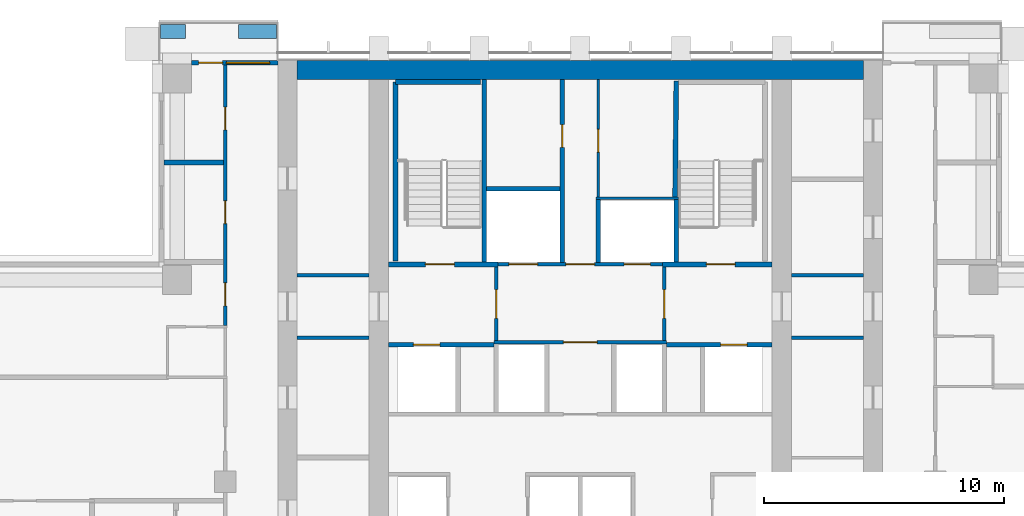
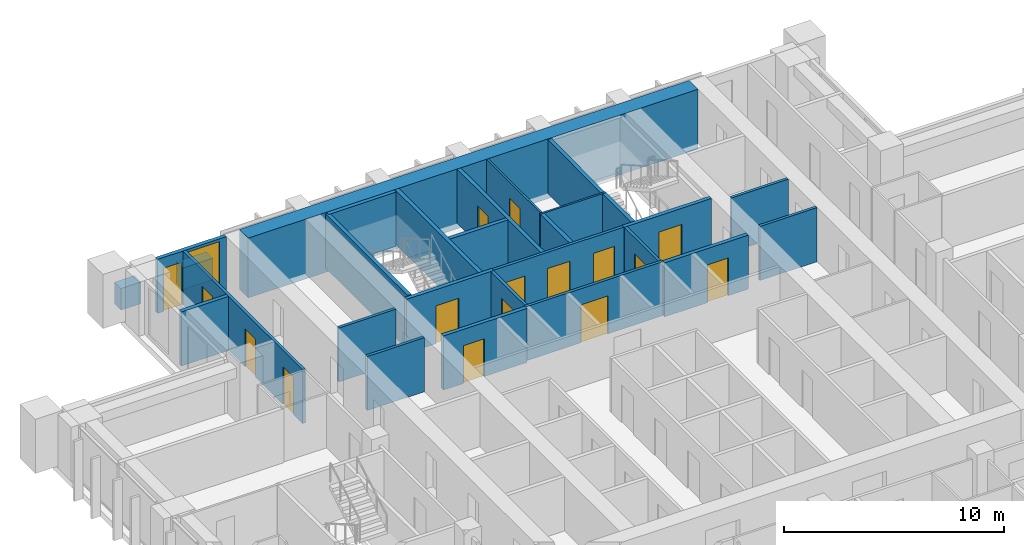
# One storey, part 14 of 21: 28 walls, 16 doors, 1 window, 17 openings.
"""IFC4 building model written with IfcOpenShell, lengths in metres."""

from ifc_helpers import new_model, si_unit, direction, frame, frame_2d, origin, place, context, subcontext, project, spatial, rectangle, extrude, material, layer, layer_set, type_object, element, fill, save


model = new_model("IFC4")

# Units and contexts
model_context = context("Model", 3, precision=1e-05, world=origin(), true_north=direction((0.0, 1.0)))
body_context = subcontext(model_context, "Body", "Model", "MODEL_VIEW")
ifc_project = project(units=[si_unit("LENGTHUNIT", "METRE"), si_unit("AREAUNIT", "SQUARE_METRE"), si_unit("VOLUMEUNIT", "CUBIC_METRE"), si_unit("PLANEANGLEUNIT", "RADIAN"), si_unit("MASSUNIT", "GRAM", prefix="KILO")], contexts=[model_context])

# Site, building, storey
site_placement = place(None, origin())
site = spatial("IfcSite", under=ifc_project, at=site_placement, CompositionType="ELEMENT")
building_placement = place(site_placement, origin())
building = spatial("IfcBuilding", under=site, at=building_placement, Name="Vermilion Ogive Tower", CompositionType="ELEMENT")
storey_placement = place(building_placement, frame((0.0, 0.0, 118.35009765625)))
storey = spatial("IfcBuildingStorey", under=building, at=storey_placement, Name="L30", CompositionType="ELEMENT", Elevation=118.35009765625)

# Walls
ifc_material_1 = material(Name="Concrete B80", Category="concrete")
ifc_layer_1 = layer(ifc_material_1, 0.800048828125)
ifc_layer_set_1 = layer_set([ifc_layer_1], Name="Core wall 800 B80")
wall_type_1 = type_object("IfcWallType", Name="Core wall 800 B80", PredefinedType="SHEAR", material=ifc_layer_set_1)
wall_1_placement = place(storey_placement, frame((-11.800048828125, 21.35009765625, -0.320068359375), z_axis=(0.0, 0.0, 1.0), x_axis=(1.0, 0.0, 0.0)))
element("IfcWall", 1, at=wall_1_placement, inside=storey, type_object=wall_type_1, Name="L30-CORE-N", PredefinedType="SHEAR", context=body_context, shape_type="SweptSolid", body=[
    extrude(rectangle(XDim=23.60009765625, YDim=0.800048828125, at=frame_2d((11.800048828125, 0.0))), origin(), (0.0, 0.0, 1.0), 3.320068359375),
])
ifc_material_2 = material(Name="Gypsum board partition on steel studs", Category="steel")
ifc_layer_2 = layer(ifc_material_2, 0.10009765625)
ifc_layer_set_2 = layer_set([ifc_layer_2], Name="Partition 100 bath")
wall_type_2 = type_object("IfcWallType", Name="Partition 100 bath", PredefinedType="PARTITIONING", material=ifc_layer_set_2)
wall_2_placement = place(storey_placement, frame((0.64990234375, 16.0, 0.0), z_axis=(0.0, 0.0, 1.0), x_axis=(1.0, 0.0, 0.0)))
element("IfcWall", 2, at=wall_2_placement, inside=storey, type_object=wall_type_2, Name="L30-CK-W-W020", PredefinedType="PARTITIONING", context=body_context, shape_type="SweptSolid", body=[
    extrude(rectangle(XDim=3.4501953125, YDim=0.10009765625, at=frame_2d((1.72509765625, 0.0))), origin(), (0.0, 0.0, 1.0), 3.0),
])

# Wall, opening, door
wall_3_placement = place(storey_placement, frame((0.75, 16.050048828125, 0.0), z_axis=(0.0, 0.0, 1.0), x_axis=(0.0, 1.0, 0.0)))
wall_3 = element("IfcWall", 3, at=wall_3_placement, inside=storey, type_object=wall_type_2, Name="L30-CK-W-W032", PredefinedType="PARTITIONING", context=body_context, shape_type="SweptSolid", body=[
    extrude(rectangle(XDim=4.89892578125, YDim=0.10009765625, at=frame_2d((2.449462890625, 0.0))), origin(), (0.0, 0.0, 1.0), 3.0),
])
opening_1_placement = place(wall_3_placement, frame((1.875, 0.0, 0.0)))
opening_1 = element("IfcOpeningElement", 4, at=opening_1_placement, cuts=wall_3, Name="Opening DAA261", PredefinedType="OPENING", context=body_context, shape_type="SweptSolid", body=[
    extrude(rectangle(XDim=0.949951171875, YDim=2.10009765625, at=frame_2d((0.47509765625, 1.050048828125))), frame((0.0, 0.06005859375, 0.0), z_axis=(0.0, -1.0, 0.0), x_axis=(1.0, 0.0, 0.0)), (0.0, 0.0, 1.0), 0.1201171875),
])
ifc_material_3 = material(Name="Timber door leaf", Category="wood")
door_type_1 = type_object("IfcDoorType", Name="Service door 950 x 2100 FD60", OperationType="SINGLE_SWING_LEFT", PredefinedType="DOOR", material=ifc_material_3)
door_1_placement = place(opening_1_placement, origin())
door_1 = element("IfcDoor", 5, at=door_1_placement, inside=storey, type_object=door_type_1, Name="L30-CK-D-D021", OperationType="SINGLE_SWING_LEFT", OverallHeight=2.10009765625, OverallWidth=0.949951171875, PredefinedType="DOOR", context=body_context, shape_type="SweptSolid", body=[
    extrude(rectangle(XDim=0.949951171875, YDim=2.10009765625, at=frame_2d((0.47509765625, 1.050048828125))), frame((0.0, 0.02490234375, 0.0), z_axis=(0.0, -1.0, 0.0), x_axis=(1.0, 0.0, 0.0)), (0.0, 0.0, 1.0), 0.050048828125),
])
fill(opening_1, door_1)

# Wall, openings, doors
ifc_material_4 = material(Name="Gypsum board partition on steel studs", Category="steel")
ifc_layer_3 = layer(ifc_material_4, 0.14990234375)
ifc_layer_set_3 = layer_set([ifc_layer_3], Name="Partition 150 corridor")
wall_type_3 = type_object("IfcWallType", Name="Partition 150 corridor", PredefinedType="PARTITIONING", material=ifc_layer_set_3)
wall_4_placement = place(storey_placement, frame((-14.800048828125, 10.699951171875, 0.0), z_axis=(0.0, 0.0, 1.0), x_axis=(0.0, 1.0, 0.0)))
wall_4 = element("IfcWall", 6, at=wall_4_placement, inside=storey, type_object=wall_type_3, Name="L30-W-W050", PredefinedType="PARTITIONING", context=body_context, shape_type="SweptSolid", body=[
    extrude(rectangle(XDim=10.85009765625, YDim=0.14990234375, at=frame_2d((5.425048828125, 0.0))), origin(), (0.0, 0.0, 1.0), 3.0),
])
opening_2_placement = place(wall_4_placement, frame((0.824951171875, 0.0, 0.0)))
opening_2 = element("IfcOpeningElement", 7, at=opening_2_placement, cuts=wall_4, Name="Opening D2G6007", PredefinedType="OPENING", context=body_context, shape_type="SweptSolid", body=[
    extrude(rectangle(XDim=0.949951171875, YDim=2.10009765625, at=frame_2d((0.47509765625, 1.050048828125))), frame((0.0, 0.0849609375, 0.0), z_axis=(0.0, -1.0, 0.0), x_axis=(1.0, 0.0, 0.0)), (0.0, 0.0, 1.0), 0.169921875),
])
opening_3_placement = place(wall_4_placement, frame((4.25, 0.0, 0.0)))
opening_3 = element("IfcOpeningElement", 8, at=opening_3_placement, cuts=wall_4, Name="Opening D2G6009", PredefinedType="OPENING", context=body_context, shape_type="SweptSolid", body=[
    extrude(rectangle(XDim=0.949951171875, YDim=2.10009765625, at=frame_2d((0.47509765625, 1.050048828125))), frame((0.0, 0.0849609375, 0.0), z_axis=(0.0, -1.0, 0.0), x_axis=(1.0, 0.0, 0.0)), (0.0, 0.0, 1.0), 0.169921875),
])
opening_4_placement = place(wall_4_placement, frame((8.150146484375, 0.0, 0.0)))
opening_4 = element("IfcOpeningElement", 9, at=opening_4_placement, cuts=wall_4, Name="Opening D2G6010", PredefinedType="OPENING", context=body_context, shape_type="SweptSolid", body=[
    extrude(rectangle(XDim=0.949951171875, YDim=2.10009765625, at=frame_2d((0.47509765625, 1.050048828125))), frame((0.0, 0.0849609375, 0.0), z_axis=(0.0, -1.0, 0.0), x_axis=(1.0, 0.0, 0.0)), (0.0, 0.0, 1.0), 0.169921875),
])
ifc_material_5 = material(Name="Timber door leaf", Category="wood")
door_type_2 = type_object("IfcDoorType", Name="Unit door 950 x 2100 FD30S", OperationType="SINGLE_SWING_LEFT", PredefinedType="DOOR", material=ifc_material_5)
door_2_placement = place(opening_2_placement, origin())
door_2 = element("IfcDoor", 10, at=door_2_placement, inside=storey, type_object=door_type_2, Name="L30-D-D007", OperationType="SINGLE_SWING_LEFT", OverallHeight=2.10009765625, OverallWidth=0.949951171875, PredefinedType="DOOR", context=body_context, shape_type="SweptSolid", body=[
    extrude(rectangle(XDim=0.949951171875, YDim=2.10009765625, at=frame_2d((0.47509765625, 1.050048828125))), frame((0.0, 0.02490234375, 0.0), z_axis=(0.0, -1.0, 0.0), x_axis=(1.0, 0.0, 0.0)), (0.0, 0.0, 1.0), 0.050048828125),
])
fill(opening_2, door_2)
door_3_placement = place(opening_3_placement, origin())
door_3 = element("IfcDoor", 11, at=door_3_placement, inside=storey, type_object=door_type_2, Name="L30-D-D009", OperationType="SINGLE_SWING_LEFT", OverallHeight=2.10009765625, OverallWidth=0.949951171875, PredefinedType="DOOR", context=body_context, shape_type="SweptSolid", body=[
    extrude(rectangle(XDim=0.949951171875, YDim=2.10009765625, at=frame_2d((0.47509765625, 1.050048828125))), frame((0.0, 0.02490234375, 0.0), z_axis=(0.0, -1.0, 0.0), x_axis=(1.0, 0.0, 0.0)), (0.0, 0.0, 1.0), 0.050048828125),
])
fill(opening_3, door_3)
door_4_placement = place(opening_4_placement, origin())
door_4 = element("IfcDoor", 12, at=door_4_placement, inside=storey, type_object=door_type_2, Name="L30-D-D010", OperationType="SINGLE_SWING_RIGHT", OverallHeight=2.10009765625, OverallWidth=0.949951171875, PredefinedType="DOOR", context=body_context, shape_type="SweptSolid", body=[
    extrude(rectangle(XDim=0.949951171875, YDim=2.10009765625, at=frame_2d((0.47509765625, 1.050048828125))), frame((0.0, 0.02490234375, 0.0), z_axis=(0.0, -1.0, 0.0), x_axis=(1.0, 0.0, 0.0)), (0.0, 0.0, 1.0), 0.050048828125),
])
fill(opening_4, door_4)

# Wall, opening, door
wall_5_placement = place(storey_placement, frame((-3.60009765625, 10.0, 0.0), z_axis=(0.0, 0.0, 1.0), x_axis=(1.0, 0.0, 0.0)))
wall_5 = element("IfcWall", 13, at=wall_5_placement, inside=storey, type_object=wall_type_3, Name="L30-CK-W-W016", PredefinedType="PARTITIONING", context=body_context, shape_type="SweptSolid", body=[
    extrude(rectangle(XDim=7.2001953125, YDim=0.14990234375, at=frame_2d((3.60009765625, 0.0))), origin(), (0.0, 0.0, 1.0), 3.0),
])
opening_5_placement = place(wall_5_placement, frame((2.900146484375, 0.0, 0.0)))
opening_5 = element("IfcOpeningElement", 14, at=opening_5_placement, cuts=wall_5, Name="Opening DAA256", PredefinedType="OPENING", context=body_context, shape_type="SweptSolid", body=[
    extrude(rectangle(XDim=1.39990234375, YDim=2.10009765625, at=frame_2d((0.699951171875, 1.050048828125))), frame((0.0, 0.0849609375, 0.0), z_axis=(0.0, -1.0, 0.0), x_axis=(1.0, 0.0, 0.0)), (0.0, 0.0, 1.0), 0.169921875),
])
ifc_material_6 = material(Name="Timber door leaf", Category="wood")
door_type_3 = type_object("IfcDoorType", Name="Lobby door 1400 x 2100 FD60S", OperationType="SINGLE_SWING_LEFT", PredefinedType="DOOR", material=ifc_material_6)
door_5_placement = place(opening_5_placement, origin())
door_5 = element("IfcDoor", 15, at=door_5_placement, inside=storey, type_object=door_type_3, Name="L30-CK-D-D016", OperationType="SINGLE_SWING_RIGHT", OverallHeight=2.10009765625, OverallWidth=1.39990234375, PredefinedType="DOOR", context=body_context, shape_type="SweptSolid", body=[
    extrude(rectangle(XDim=1.39990234375, YDim=2.10009765625, at=frame_2d((0.699951171875, 1.050048828125))), frame((0.0, 0.02490234375, 0.0), z_axis=(0.0, -1.0, 0.0), x_axis=(1.0, 0.0, 0.0)), (0.0, 0.0, 1.0), 0.050048828125),
])
fill(opening_5, door_5)

# Wall, openings, doors
wall_6_placement = place(storey_placement, frame((-3.574951171875, 13.25, 0.0), z_axis=(0.0, 0.0, 1.0), x_axis=(1.0, 0.0, 0.0)))
wall_6 = element("IfcWall", 16, at=wall_6_placement, inside=storey, type_object=wall_type_3, Name="L30-CK-W-W018", PredefinedType="PARTITIONING", context=body_context, shape_type="SweptSolid", body=[
    extrude(rectangle(XDim=7.14990234375, YDim=0.14990234375, at=frame_2d((3.574951171875, 0.0))), origin(), (0.0, 0.0, 1.0), 3.0),
])
opening_6_placement = place(wall_6_placement, frame((0.599853515625, 0.0, 0.0)))
opening_6 = element("IfcOpeningElement", 17, at=opening_6_placement, cuts=wall_6, Name="Opening DAA275", PredefinedType="OPENING", context=body_context, shape_type="SweptSolid", body=[
    extrude(rectangle(XDim=1.199951171875, YDim=2.10009765625, at=frame_2d((0.60009765625, 1.050048828125))), frame((0.0, 0.0849609375, 0.0), z_axis=(0.0, -1.0, 0.0), x_axis=(1.0, 0.0, 0.0)), (0.0, 0.0, 1.0), 0.169921875),
])
opening_7_placement = place(wall_6_placement, frame((5.39990234375, 0.0, 0.0)))
opening_7 = element("IfcOpeningElement", 18, at=opening_7_placement, cuts=wall_6, Name="Opening DAA266", PredefinedType="OPENING", context=body_context, shape_type="SweptSolid", body=[
    extrude(rectangle(XDim=1.10009765625, YDim=2.10009765625, at=frame_2d((0.550048828125, 1.050048828125))), frame((0.0, 0.0849609375, 0.0), z_axis=(0.0, -1.0, 0.0), x_axis=(1.0, 0.0, 0.0)), (0.0, 0.0, 1.0), 0.169921875),
])
opening_8_placement = place(wall_6_placement, frame((2.974853515625, 0.0, 0.0)))
opening_8 = element("IfcOpeningElement", 19, at=opening_8_placement, cuts=wall_6, Name="Opening DAA257", PredefinedType="OPENING", context=body_context, shape_type="SweptSolid", body=[
    extrude(rectangle(XDim=1.199951171875, YDim=2.10009765625, at=frame_2d((0.60009765625, 1.050048828125))), frame((0.0, 0.0849609375, 0.0), z_axis=(0.0, -1.0, 0.0), x_axis=(1.0, 0.0, 0.0)), (0.0, 0.0, 1.0), 0.169921875),
])
ifc_material_7 = material(Name="Stainless steel", Category="steel")
door_type_4 = type_object("IfcDoorType", Name="Lift landing door 1100 x 2100", OperationType="SLIDING_TO_LEFT", PredefinedType="DOOR", material=ifc_material_7)
door_6_placement = place(opening_7_placement, origin())
door_6 = element("IfcDoor", 20, at=door_6_placement, inside=storey, type_object=door_type_4, Name="L30-CK-D-D018", OperationType="SLIDING_TO_LEFT", OverallHeight=2.10009765625, OverallWidth=1.10009765625, PredefinedType="DOOR", context=body_context, shape_type="SweptSolid", body=[
    extrude(rectangle(XDim=1.10009765625, YDim=2.10009765625, at=frame_2d((0.550048828125, 1.050048828125))), frame((0.0, 0.02490234375, 0.0), z_axis=(0.0, -1.0, 0.0), x_axis=(1.0, 0.0, 0.0)), (0.0, 0.0, 1.0), 0.050048828125),
])
fill(opening_7, door_6)
ifc_material_8 = material(Name="Stainless steel", Category="steel")
door_type_5 = type_object("IfcDoorType", Name="Lift landing door 1200 x 2100", OperationType="SLIDING_TO_LEFT", PredefinedType="DOOR", material=ifc_material_8)
door_7_placement = place(opening_6_placement, origin())
door_7 = element("IfcDoor", 21, at=door_7_placement, inside=storey, type_object=door_type_5, Name="L30-CK-D-D017", OperationType="SLIDING_TO_RIGHT", OverallHeight=2.10009765625, OverallWidth=1.199951171875, PredefinedType="DOOR", context=body_context, shape_type="SweptSolid", body=[
    extrude(rectangle(XDim=1.199951171875, YDim=2.10009765625, at=frame_2d((0.60009765625, 1.050048828125))), frame((0.0, 0.02490234375, 0.0), z_axis=(0.0, -1.0, 0.0), x_axis=(1.0, 0.0, 0.0)), (0.0, 0.0, 1.0), 0.050048828125),
])
fill(opening_6, door_7)
ifc_material_9 = material(Name="Timber door leaf", Category="wood")
door_type_6 = type_object("IfcDoorType", Name="Service door 1200 x 2100 FD60", OperationType="SINGLE_SWING_LEFT", PredefinedType="DOOR", material=ifc_material_9)
door_8_placement = place(opening_8_placement, origin())
door_8 = element("IfcDoor", 22, at=door_8_placement, inside=storey, type_object=door_type_6, Name="L30-CK-D-D019", OperationType="SINGLE_SWING_RIGHT", OverallHeight=2.10009765625, OverallWidth=1.199951171875, PredefinedType="DOOR", context=body_context, shape_type="SweptSolid", body=[
    extrude(rectangle(XDim=1.199951171875, YDim=2.10009765625, at=frame_2d((0.60009765625, 1.050048828125))), frame((0.0, 0.02490234375, 0.0), z_axis=(0.0, -1.0, 0.0), x_axis=(1.0, 0.0, 0.0)), (0.0, 0.0, 1.0), 0.050048828125),
])
fill(opening_8, door_8)

# Wall, opening, door
wall_7_placement = place(storey_placement, frame((-3.5, 10.074951171875, 0.0), z_axis=(0.0, 0.0, 1.0), x_axis=(0.0, 1.0, 0.0)))
wall_7 = element("IfcWall", 23, at=wall_7_placement, inside=storey, type_object=wall_type_3, Name="L30-CK-W-W026", PredefinedType="PARTITIONING", context=body_context, shape_type="SweptSolid", body=[
    extrude(rectangle(XDim=3.074951171875, YDim=0.14990234375, at=frame_2d((1.53759765625, 0.0))), origin(), (0.0, 0.0, 1.0), 3.0),
])
opening_9_placement = place(wall_7_placement, frame((0.925048828125, 0.0, 0.0)))
opening_9 = element("IfcOpeningElement", 24, at=opening_9_placement, cuts=wall_7, Name="Opening DAA253", PredefinedType="OPENING", context=body_context, shape_type="SweptSolid", body=[
    extrude(rectangle(XDim=1.199951171875, YDim=2.10009765625, at=frame_2d((0.60009765625, 1.050048828125))), frame((0.0, 0.0849609375, 0.0), z_axis=(0.0, -1.0, 0.0), x_axis=(1.0, 0.0, 0.0)), (0.0, 0.0, 1.0), 0.169921875),
])
ifc_material_10 = material(Name="Timber door leaf", Category="wood")
door_type_7 = type_object("IfcDoorType", Name="Lobby door 1200 x 2100 FD60S", OperationType="SINGLE_SWING_LEFT", PredefinedType="DOOR", material=ifc_material_10)
door_9_placement = place(opening_9_placement, origin())
door_9 = element("IfcDoor", 25, at=door_9_placement, inside=storey, type_object=door_type_7, Name="L30-CK-D-D022", OperationType="SINGLE_SWING_RIGHT", OverallHeight=2.10009765625, OverallWidth=1.199951171875, PredefinedType="DOOR", context=body_context, shape_type="SweptSolid", body=[
    extrude(rectangle(XDim=1.199951171875, YDim=2.10009765625, at=frame_2d((0.60009765625, 1.050048828125))), frame((0.0, 0.02490234375, 0.0), z_axis=(0.0, -1.0, 0.0), x_axis=(1.0, 0.0, 0.0)), (0.0, 0.0, 1.0), 0.050048828125),
])
fill(opening_9, door_9)

wall_8_placement = place(storey_placement, frame((3.5, 10.074951171875, 0.0), z_axis=(0.0, 0.0, 1.0), x_axis=(0.0, 1.0, 0.0)))
wall_8 = element("IfcWall", 26, at=wall_8_placement, inside=storey, type_object=wall_type_3, Name="L30-CK-W-W036", PredefinedType="PARTITIONING", context=body_context, shape_type="SweptSolid", body=[
    extrude(rectangle(XDim=3.074951171875, YDim=0.14990234375, at=frame_2d((1.53759765625, 0.0))), origin(), (0.0, 0.0, 1.0), 3.0),
])
opening_10_placement = place(wall_8_placement, frame((0.925048828125, 0.0, 0.0)))
opening_10 = element("IfcOpeningElement", 27, at=opening_10_placement, cuts=wall_8, Name="Opening DAA254", PredefinedType="OPENING", context=body_context, shape_type="SweptSolid", body=[
    extrude(rectangle(XDim=1.199951171875, YDim=2.10009765625, at=frame_2d((0.60009765625, 1.050048828125))), frame((0.0, 0.0849609375, 0.0), z_axis=(0.0, -1.0, 0.0), x_axis=(1.0, 0.0, 0.0)), (0.0, 0.0, 1.0), 0.169921875),
])
door_10_placement = place(opening_10_placement, origin())
door_10 = element("IfcDoor", 28, at=door_10_placement, inside=storey, type_object=door_type_7, Name="L30-CK-D-D023", OperationType="SINGLE_SWING_LEFT", OverallHeight=2.10009765625, OverallWidth=1.199951171875, PredefinedType="DOOR", context=body_context, shape_type="SweptSolid", body=[
    extrude(rectangle(XDim=1.199951171875, YDim=2.10009765625, at=frame_2d((0.60009765625, 1.050048828125))), frame((0.0, 0.02490234375, 0.0), z_axis=(0.0, -1.0, 0.0), x_axis=(1.0, 0.0, 0.0)), (0.0, 0.0, 1.0), 0.050048828125),
])
fill(opening_10, door_10)

# Walls
for number, where, z_axis, x_axis, name in (
    (29, (-11.799072265625, 10.199951171875, 0.0), (0.0, 0.0, 1.0), (1.0, 0.0, 0.0), "L30-CKW-W-W004"),
    (30, (-11.799072265625, 12.800048828125, 0.0), (0.0, 0.0, 1.0), (1.0, 0.0, 0.0), "L30-CKW-W-W005"),
    (31, (8.801025390625, 10.199951171875, 0.0), (0.0, 0.0, 1.0), (1.0, 0.0, 0.0), "L30-CKE-W-W004"),
    (32, (8.801025390625, 12.800048828125, 0.0), (0.0, 0.0, 1.0), (1.0, 0.0, 0.0), "L30-CKE-W-W005"),
):
    element("IfcWall", number, at=place(storey_placement, frame(where, z_axis=z_axis, x_axis=x_axis)), inside=storey, type_object=wall_type_3, Name=name, PredefinedType="PARTITIONING", context=body_context, shape_type="SweptSolid", body=[
        extrude(rectangle(XDim=2.998046875, YDim=0.14990234375, at=frame_2d((1.4990234375, 0.0))), origin(), (0.0, 0.0, 1.0), 3.0),
    ])
ifc_material_11 = material(Name="Gypsum board partition on steel studs", Category="steel")
ifc_layer_4 = layer(ifc_material_11, 0.199951171875)
ifc_layer_set_4 = layer_set([ifc_layer_4], Name="Partition 200 party")
wall_type_4 = type_object("IfcWallType", Name="Partition 200 party", PredefinedType="PARTITIONING", material=ifc_layer_set_4)
wall_9_placement = place(storey_placement, frame((-17.35009765625, 17.5, 0.0), z_axis=(0.0, 0.0, 1.0), x_axis=(1.0, 0.0, 0.0)))
element("IfcWall", 33, at=wall_9_placement, inside=storey, type_object=wall_type_4, Name="L30-W-W040", PredefinedType="PARTITIONING", context=body_context, shape_type="SweptSolid", body=[
    extrude(rectangle(XDim=2.47509765625, YDim=0.199951171875, at=frame_2d((1.237548828125, 0.0))), origin(), (0.0, 0.0, 1.0), 3.0),
])

# Wall, opening, door
wall_10_placement = place(storey_placement, frame((-7.9990234375, 9.89990234375, 0.0), z_axis=(0.0, 0.0, 1.0), x_axis=(1.0, 0.0, 0.0)))
wall_10 = element("IfcWall", 34, at=wall_10_placement, inside=storey, type_object=wall_type_4, Name="L30-CK-W-W014", PredefinedType="PARTITIONING", context=body_context, shape_type="SweptSolid", body=[
    extrude(rectangle(XDim=4.39892578125, YDim=0.199951171875, at=frame_2d((2.199462890625, 0.0))), origin(), (0.0, 0.0, 1.0), 3.0),
])
opening_11_placement = place(wall_10_placement, frame((1.049072265625, 0.0, 0.0)))
opening_11 = element("IfcOpeningElement", 35, at=opening_11_placement, cuts=wall_10, Name="Opening DAA274", PredefinedType="OPENING", context=body_context, shape_type="SweptSolid", body=[
    extrude(rectangle(XDim=1.10009765625, YDim=2.10009765625, at=frame_2d((0.550048828125, 1.050048828125))), frame((0.0, 0.10986328125, 0.0), z_axis=(0.0, -1.0, 0.0), x_axis=(1.0, 0.0, 0.0)), (0.0, 0.0, 1.0), 0.219970703125),
])
door_11_placement = place(opening_11_placement, origin())
door_11 = element("IfcDoor", 36, at=door_11_placement, inside=storey, type_object=door_type_4, Name="L30-CK-D-D012", OperationType="SLIDING_TO_LEFT", OverallHeight=2.10009765625, OverallWidth=1.10009765625, PredefinedType="DOOR", context=body_context, shape_type="SweptSolid", body=[
    extrude(rectangle(XDim=1.10009765625, YDim=2.10009765625, at=frame_2d((0.550048828125, 1.050048828125))), frame((0.0, 0.02490234375, 0.0), z_axis=(0.0, -1.0, 0.0), x_axis=(1.0, 0.0, 0.0)), (0.0, 0.0, 1.0), 0.050048828125),
])
fill(opening_11, door_11)

wall_11_placement = place(storey_placement, frame((3.60009765625, 9.89990234375, 0.0), z_axis=(0.0, 0.0, 1.0), x_axis=(1.0, 0.0, 0.0)))
wall_11 = element("IfcWall", 37, at=wall_11_placement, inside=storey, type_object=wall_type_4, Name="L30-CK-W-W015", PredefinedType="PARTITIONING", context=body_context, shape_type="SweptSolid", body=[
    extrude(rectangle(XDim=4.39892578125, YDim=0.199951171875, at=frame_2d((2.199462890625, 0.0))), origin(), (0.0, 0.0, 1.0), 3.0),
])
opening_12_placement = place(wall_11_placement, frame((2.25, 0.0, 0.0)))
opening_12 = element("IfcOpeningElement", 38, at=opening_12_placement, cuts=wall_11, Name="Opening DAA265", PredefinedType="OPENING", context=body_context, shape_type="SweptSolid", body=[
    extrude(rectangle(XDim=1.10009765625, YDim=2.10009765625, at=frame_2d((0.550048828125, 1.050048828125))), frame((0.0, 0.10986328125, 0.0), z_axis=(0.0, -1.0, 0.0), x_axis=(1.0, 0.0, 0.0)), (0.0, 0.0, 1.0), 0.219970703125),
])
door_12_placement = place(opening_12_placement, origin())
door_12 = element("IfcDoor", 39, at=door_12_placement, inside=storey, type_object=door_type_4, Name="L30-CK-D-D014", OperationType="SLIDING_TO_LEFT", OverallHeight=2.10009765625, OverallWidth=1.10009765625, PredefinedType="DOOR", context=body_context, shape_type="SweptSolid", body=[
    extrude(rectangle(XDim=1.10009765625, YDim=2.10009765625, at=frame_2d((0.550048828125, 1.050048828125))), frame((0.0, 0.02490234375, 0.0), z_axis=(0.0, -1.0, 0.0), x_axis=(1.0, 0.0, 0.0)), (0.0, 0.0, 1.0), 0.050048828125),
])
fill(opening_12, door_12)

# Wall
wall_12_placement = place(storey_placement, frame((-3.89990234375, 16.39990234375, 0.0), z_axis=(0.0, 0.0, 1.0), x_axis=(1.0, 0.0, 0.0)))
element("IfcWall", 40, at=wall_12_placement, inside=storey, type_object=wall_type_4, Name="L30-CK-W-W021", PredefinedType="PARTITIONING", context=body_context, shape_type="SweptSolid", body=[
    extrude(rectangle(XDim=3.0498046875, YDim=0.199951171875, at=frame_2d((1.52490234375, 0.0))), origin(), (0.0, 0.0, 1.0), 3.0),
])

# Wall, opening, door
wall_13_placement = place(storey_placement, frame((-0.75, 13.324951171875, 0.0), z_axis=(0.0, 0.0, 1.0), x_axis=(0.0, 1.0, 0.0)))
wall_13 = element("IfcWall", 41, at=wall_13_placement, inside=storey, type_object=wall_type_4, Name="L30-CK-W-W029", PredefinedType="PARTITIONING", context=body_context, shape_type="SweptSolid", body=[
    extrude(rectangle(XDim=7.6240234375, YDim=0.199951171875, at=frame_2d((3.81201171875, 0.0))), origin(), (0.0, 0.0, 1.0), 3.0),
])
opening_13_placement = place(wall_13_placement, frame((4.800048828125, 0.0, 0.0)))
opening_13 = element("IfcOpeningElement", 42, at=opening_13_placement, cuts=wall_13, Name="Opening DAA260", PredefinedType="OPENING", context=body_context, shape_type="SweptSolid", body=[
    extrude(rectangle(XDim=0.949951171875, YDim=2.10009765625, at=frame_2d((0.47509765625, 1.050048828125))), frame((0.0, 0.10986328125, 0.0), z_axis=(0.0, -1.0, 0.0), x_axis=(1.0, 0.0, 0.0)), (0.0, 0.0, 1.0), 0.219970703125),
])
door_13_placement = place(opening_13_placement, origin())
door_13 = element("IfcDoor", 43, at=door_13_placement, inside=storey, type_object=door_type_1, Name="L30-CK-D-D020", OperationType="SINGLE_SWING_RIGHT", OverallHeight=2.10009765625, OverallWidth=0.949951171875, PredefinedType="DOOR", context=body_context, shape_type="SweptSolid", body=[
    extrude(rectangle(XDim=0.949951171875, YDim=2.10009765625, at=frame_2d((0.47509765625, 1.050048828125))), frame((0.0, 0.02490234375, 0.0), z_axis=(0.0, -1.0, 0.0), x_axis=(1.0, 0.0, 0.0)), (0.0, 0.0, 1.0), 0.050048828125),
])
fill(opening_13, door_13)

# Wall
wall_14_placement = place(storey_placement, frame((0.75, 13.324951171875, 0.0), z_axis=(0.0, 0.0, 1.0), x_axis=(0.0, 1.0, 0.0)))
element("IfcWall", 44, at=wall_14_placement, inside=storey, type_object=wall_type_4, Name="L30-CK-W-W031", PredefinedType="PARTITIONING", context=body_context, shape_type="SweptSolid", body=[
    extrude(rectangle(XDim=2.625, YDim=0.199951171875, at=frame_2d((1.3125, 0.0))), origin(), (0.0, 0.0, 1.0), 3.0),
])

# Wall, opening, door
ifc_material_12 = material(Name="Concrete B60", Category="concrete")
ifc_layer_5 = layer(ifc_material_12, 0.199951171875)
ifc_layer_set_5 = layer_set([ifc_layer_5], Name="Stair shaft wall 200 Concrete B60")
wall_type_5 = type_object("IfcWallType", Name="Stair shaft wall 200 Concrete B60", PredefinedType="SOLIDWALL", material=ifc_layer_set_5)
wall_15_placement = place(storey_placement, frame((-7.9990234375, 13.25, 0.0), z_axis=(0.0, 0.0, 1.0), x_axis=(1.0, 0.0, 0.0)))
wall_15 = element("IfcWall", 45, at=wall_15_placement, inside=storey, type_object=wall_type_5, Name="L30-CK-W-W017", PredefinedType="SOLIDWALL", context=body_context, shape_type="SweptSolid", body=[
    extrude(rectangle(XDim=4.573974609375, YDim=0.199951171875, at=frame_2d((2.287109375, 0.0))), origin(), (0.0, 0.0, 1.0), 3.0),
])
opening_14_placement = place(wall_15_placement, frame((1.549072265625, 0.0, 0.0)))
opening_14 = element("IfcOpeningElement", 46, at=opening_14_placement, cuts=wall_15, Name="Opening DAA262", PredefinedType="OPENING", context=body_context, shape_type="SweptSolid", body=[
    extrude(rectangle(XDim=1.199951171875, YDim=2.10009765625, at=frame_2d((0.60009765625, 1.050048828125))), frame((0.0, 0.10986328125, 0.0), z_axis=(0.0, -1.0, 0.0), x_axis=(1.0, 0.0, 0.0)), (0.0, 0.0, 1.0), 0.219970703125),
])
ifc_material_13 = material(Name="Timber door leaf", Category="wood")
door_type_8 = type_object("IfcDoorType", Name="Stair door 1200 x 2100 FD60S", OperationType="SINGLE_SWING_LEFT", PredefinedType="DOOR", material=ifc_material_13)
door_14_placement = place(opening_14_placement, origin())
door_14 = element("IfcDoor", 47, at=door_14_placement, inside=storey, type_object=door_type_8, Name="L30-CK-D-D011", OperationType="SINGLE_SWING_LEFT", OverallHeight=2.10009765625, OverallWidth=1.199951171875, PredefinedType="DOOR", context=body_context, shape_type="SweptSolid", body=[
    extrude(rectangle(XDim=1.199951171875, YDim=2.10009765625, at=frame_2d((0.60009765625, 1.050048828125))), frame((0.0, 0.02490234375, 0.0), z_axis=(0.0, -1.0, 0.0), x_axis=(1.0, 0.0, 0.0)), (0.0, 0.0, 1.0), 0.050048828125),
])
fill(opening_14, door_14)

wall_16_placement = place(storey_placement, frame((3.425048828125, 13.25, 0.0), z_axis=(0.0, 0.0, 1.0), x_axis=(1.0, 0.0, 0.0)))
wall_16 = element("IfcWall", 48, at=wall_16_placement, inside=storey, type_object=wall_type_5, Name="L30-CK-W-W019", PredefinedType="SOLIDWALL", context=body_context, shape_type="SweptSolid", body=[
    extrude(rectangle(XDim=4.573974609375, YDim=0.199951171875, at=frame_2d((2.287109375, 0.0))), origin(), (0.0, 0.0, 1.0), 3.0),
])
opening_15_placement = place(wall_16_placement, frame((1.824951171875, 0.0, 0.0)))
opening_15 = element("IfcOpeningElement", 49, at=opening_15_placement, cuts=wall_16, Name="Opening DAA263", PredefinedType="OPENING", context=body_context, shape_type="SweptSolid", body=[
    extrude(rectangle(XDim=1.199951171875, YDim=2.10009765625, at=frame_2d((0.60009765625, 1.050048828125))), frame((0.0, 0.10986328125, 0.0), z_axis=(0.0, -1.0, 0.0), x_axis=(1.0, 0.0, 0.0)), (0.0, 0.0, 1.0), 0.219970703125),
])
door_15_placement = place(opening_15_placement, origin())
door_15 = element("IfcDoor", 50, at=door_15_placement, inside=storey, type_object=door_type_8, Name="L30-CK-D-D013", OperationType="SINGLE_SWING_RIGHT", OverallHeight=2.10009765625, OverallWidth=1.199951171875, PredefinedType="DOOR", context=body_context, shape_type="SweptSolid", body=[
    extrude(rectangle(XDim=1.199951171875, YDim=2.10009765625, at=frame_2d((0.60009765625, 1.050048828125))), frame((0.0, 0.02490234375, 0.0), z_axis=(0.0, -1.0, 0.0), x_axis=(1.0, 0.0, 0.0)), (0.0, 0.0, 1.0), 0.050048828125),
])
fill(opening_15, door_15)

# Walls
wall_17_placement = place(storey_placement, frame((-4.0, 13.35009765625, 0.0), z_axis=(0.0, 0.0, 1.0), x_axis=(0.0, 1.0, 0.0)))
element("IfcWall", 51, at=wall_17_placement, inside=storey, type_object=wall_type_5, Name="L30-CK-W-W024", PredefinedType="SOLIDWALL", context=body_context, shape_type="SweptSolid", body=[
    extrude(rectangle(XDim=7.598876953125, YDim=0.199951171875, at=frame_2d((3.79931640625, 0.0))), origin(), (0.0, 0.0, 1.0), 3.0),
])
wall_18_placement = place(storey_placement, frame((4.0, 13.35009765625, 0.0), z_axis=(0.0, 0.0, 1.0), x_axis=(0.0, 1.0, 0.0)))
element("IfcWall", 52, at=wall_18_placement, inside=storey, type_object=wall_type_5, Name="L30-CK-W-W037", PredefinedType="SOLIDWALL", context=body_context, shape_type="SweptSolid", body=[
    extrude(rectangle(XDim=2.599853515625, YDim=0.199951171875, at=frame_2d((1.2998046875, 0.0))), origin(), (0.0, 0.0, 1.0), 3.0),
])
wall_19_placement = place(storey_placement, frame((3.949951171875, 16.050048828125, 0.0), z_axis=(0.0, 0.0, 1.0), x_axis=(0.01032118628, 0.999946735138, 0.0)))
element("IfcWall", 53, at=wall_19_placement, inside=storey, type_object=wall_type_5, Name="L30-CK-W-W038", PredefinedType="SOLIDWALL", context=body_context, shape_type="SweptSolid", body=[
    extrude(rectangle(XDim=4.84912109375, YDim=0.199951171875, at=frame_2d((2.424560546875, 0.0))), origin(), (0.0, 0.0, 1.0), 3.0),
])
wall_20_placement = place(storey_placement, frame((-7.699951171875, 13.39990234375, 0.0), z_axis=(0.0, 0.0, 1.0), x_axis=(0.0, 1.0, 0.0)))
element("IfcWall", 54, at=wall_20_placement, inside=storey, type_object=wall_type_5, Name="L30-SW-R021-W1", PredefinedType="SOLIDWALL", context=body_context, shape_type="SweptSolid", body=[
    extrude(rectangle(XDim=7.4501953125, YDim=0.199951171875, at=frame_2d((3.72509765625, 0.0))), origin(), (0.0, 0.0, 1.0), 3.0),
])
wall_21_placement = place(storey_placement, frame((-7.699951171875, 20.85009765625, 0.0), z_axis=(0.0, 0.0, 1.0), x_axis=(1.0, 0.0, 0.0)))
element("IfcWall", 55, at=wall_21_placement, inside=storey, type_object=wall_type_5, Name="L30-SW-R021-N1", PredefinedType="SOLIDWALL", context=body_context, shape_type="SweptSolid", body=[
    extrude(rectangle(XDim=3.550048828125, YDim=0.199951171875, at=frame_2d((1.77490234375, 0.0))), origin(), (0.0, 0.0, 1.0), 3.0),
])
ifc_material_14 = material(Name="Concrete B40", Category="concrete")
ifc_layer_6 = layer(ifc_material_14, 0.60009765625)
ifc_layer_set_6 = layer_set([ifc_layer_6], Name="Structural planter")
wall_type_6 = type_object("IfcWallType", Name="Structural planter", PredefinedType="USERDEFINED", material=ifc_layer_set_6)
wall_22_placement = place(storey_placement, frame((-12.659912109375, 22.9541015625, -0.0400390625), z_axis=(0.0, 0.0, 1.0), x_axis=(-1.0, 0.0, 0.0)))
element("IfcWall", 56, at=wall_22_placement, inside=storey, type_object=wall_type_6, Name="Planter N201A1", ObjectType="PLANTER", PredefinedType="USERDEFINED", context=body_context, shape_type="SweptSolid", body=[
    extrude(rectangle(XDim=1.590087890625, YDim=0.60009765625, at=frame_2d((0.794921875, 0.0))), origin(), (0.0, 0.0, 1.0), 1.199951171875),
])
wall_23_placement = place(storey_placement, frame((-16.449951171875, 22.9541015625, -0.0400390625), z_axis=(0.0, 0.0, 1.0), x_axis=(-1.0, 0.0, 0.0)))
element("IfcWall", 57, at=wall_23_placement, inside=storey, type_object=wall_type_6, Name="Planter N201A2", ObjectType="PLANTER", PredefinedType="USERDEFINED", context=body_context, shape_type="SweptSolid", body=[
    extrude(rectangle(XDim=1.0400390625, YDim=0.60009765625, at=frame_2d((0.52001953125, 0.0))), origin(), (0.0, 0.0, 1.0), 1.199951171875),
])

# Wall, openings, door, window
ifc_material_15 = material(Name="Aluminium window wall framing", Category="aluminium")
ifc_layer_7 = layer(ifc_material_15, 0.199951171875)
ifc_layer_set_7 = layer_set([ifc_layer_7], Name="Window wall")
wall_type_7 = type_object("IfcWallType", Name="Window wall", PredefinedType="STANDARD", material=ifc_layer_set_7)
wall_24_placement = place(storey_placement, frame((-12.60009765625, 21.64990234375, 0.0), z_axis=(0.0, 0.0, 1.0), x_axis=(-1.0, 0.0, 0.0)))
wall_24 = element("IfcWall", 58, at=wall_24_placement, inside=storey, type_object=wall_type_7, Name="Window wall N21", PredefinedType="STANDARD", context=body_context, shape_type="SweptSolid", body=[
    extrude(rectangle(XDim=3.599853515625, YDim=0.199951171875, at=frame_2d((1.7998046875, 0.0))), origin(), (0.0, 0.0, 1.0), 3.0),
])
opening_16_placement = place(wall_24_placement, frame((0.35009765625, 0.0, 0.199951171875)))
opening_16 = element("IfcOpeningElement", 59, at=opening_16_placement, cuts=wall_24, Name="Opening W1-N296", PredefinedType="OPENING", context=body_context, shape_type="SweptSolid", body=[
    extrude(rectangle(XDim=1.800048828125, YDim=2.64990234375, at=frame_2d((0.89990234375, 1.324951171875))), frame((0.0, 0.10986328125, 0.0), z_axis=(0.0, -1.0, 0.0), x_axis=(1.0, 0.0, 0.0)), (0.0, 0.0, 1.0), 0.219970703125),
])
opening_17_placement = place(wall_24_placement, frame((2.300048828125, 0.0, 0.0)))
opening_17 = element("IfcOpeningElement", 60, at=opening_17_placement, cuts=wall_24, Name="Opening D1-N296", PredefinedType="OPENING", context=body_context, shape_type="SweptSolid", body=[
    extrude(rectangle(XDim=1.0, YDim=2.39990234375, at=frame_2d((0.5, 1.199951171875))), frame((0.0, 0.10986328125, 0.0), z_axis=(0.0, -1.0, 0.0), x_axis=(1.0, 0.0, 0.0)), (0.0, 0.0, 1.0), 0.219970703125),
])
ifc_material_16 = material(Name="Aluminium framed glazed door", Category="aluminium")
door_type_9 = type_object("IfcDoorType", Name="Balcony door D1", OperationType="SINGLE_SWING_LEFT", PredefinedType="DOOR", material=ifc_material_16)
door_16_placement = place(opening_17_placement, origin())
door_16 = element("IfcDoor", 61, at=door_16_placement, inside=storey, type_object=door_type_9, Name="Balcony door N296", OperationType="SINGLE_SWING_LEFT", OverallHeight=2.39990234375, OverallWidth=1.0, PredefinedType="DOOR", context=body_context, shape_type="SweptSolid", body=[
    extrude(rectangle(XDim=1.0, YDim=2.39990234375, at=frame_2d((0.5, 1.199951171875))), frame((0.0, 0.02490234375, 0.0), z_axis=(0.0, -1.0, 0.0), x_axis=(1.0, 0.0, 0.0)), (0.0, 0.0, 1.0), 0.050048828125),
])
fill(opening_17, door_16)
ifc_material_17 = material(Name="Aluminium framed double glazing", Category="aluminium")
window_type = type_object("IfcWindowType", Name="Guest window W1", PartitioningType="SINGLE_PANEL", PredefinedType="WINDOW", material=ifc_material_17)
window_placement = place(opening_16_placement, origin())
window = element("IfcWindow", 62, at=window_placement, inside=storey, type_object=window_type, Name="Window N296", OverallHeight=2.64990234375, OverallWidth=1.800048828125, PartitioningType="SINGLE_PANEL", PredefinedType="WINDOW", context=body_context, shape_type="SweptSolid", body=[
    extrude(rectangle(XDim=1.800048828125, YDim=2.64990234375, at=frame_2d((0.89990234375, 1.324951171875))), frame((0.0, 0.030029296875, 0.0), z_axis=(0.0, -1.0, 0.0), x_axis=(1.0, 0.0, 0.0)), (0.0, 0.0, 1.0), 0.06005859375),
])
fill(opening_16, window)

save(model, "model.ifc")
